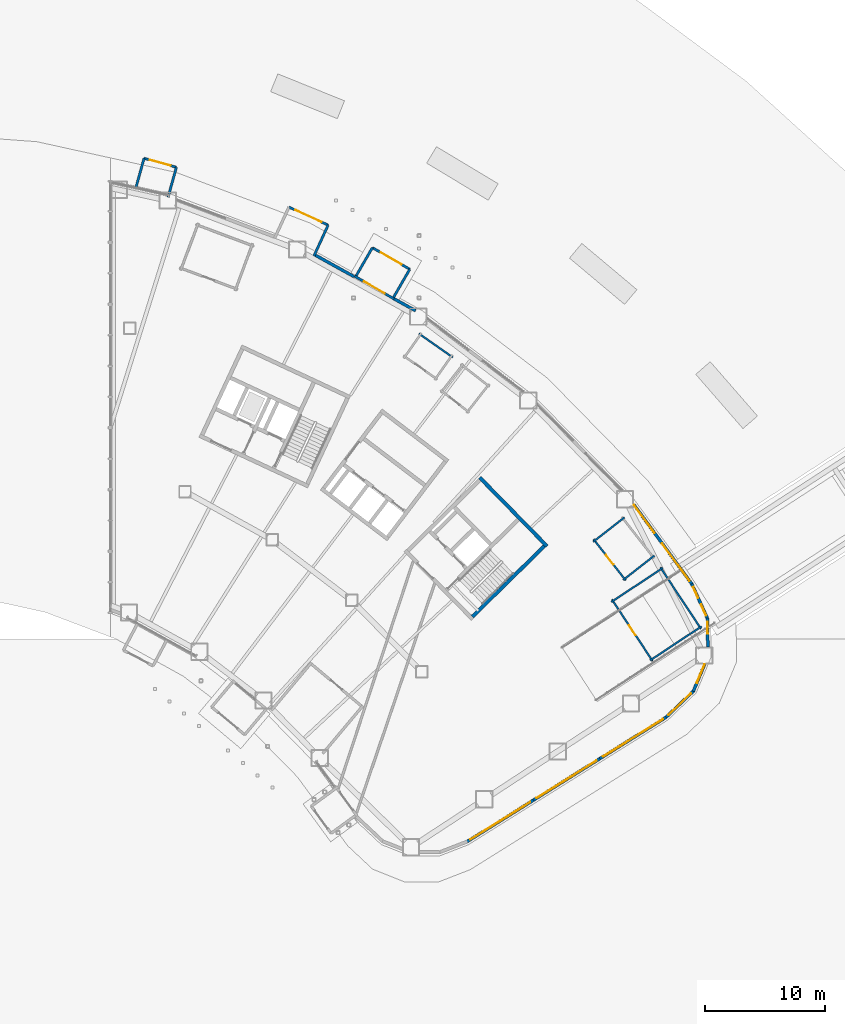
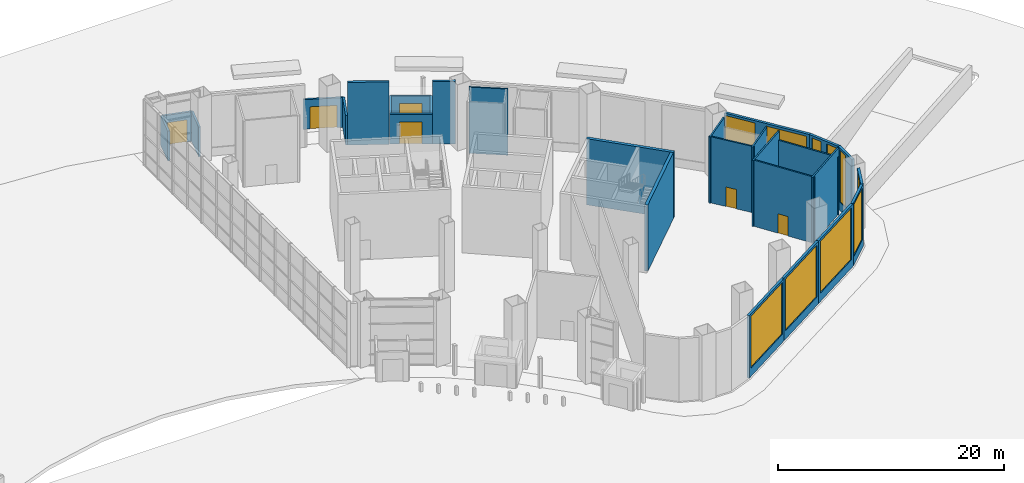
# One storey, part 35 of 45: 29 walls, 10 windows, 6 doors, 16 openings.
"""IFC4 building model written with IfcOpenShell, lengths in metres."""

from ifc_helpers import new_model, si_unit, direction, frame, frame_2d, origin, place, context, subcontext, project, spatial, rectangle, extrude, material, layer, layer_set, type_object, element, fill, save


model = new_model("IFC4")

# Units and contexts
model_context = context("Model", 3, precision=1e-05, world=origin(), true_north=direction((0.0, 1.0)))
body_context = subcontext(model_context, "Body", "Model", "MODEL_VIEW")
ifc_project = project(units=[si_unit("LENGTHUNIT", "METRE"), si_unit("AREAUNIT", "SQUARE_METRE"), si_unit("VOLUMEUNIT", "CUBIC_METRE"), si_unit("PLANEANGLEUNIT", "RADIAN"), si_unit("MASSUNIT", "GRAM", prefix="KILO")], contexts=[model_context])

# Site, building, storey
site_placement = place(None, origin())
site = spatial("IfcSite", under=ifc_project, at=site_placement, CompositionType="ELEMENT")
building_placement = place(site_placement, origin())
building = spatial("IfcBuilding", under=site, at=building_placement, Name="Tuul Gate Civic Tower", CompositionType="ELEMENT")
storey_placement = place(building_placement, origin())
storey = spatial("IfcBuildingStorey", under=building, at=storey_placement, Name="Level 00", CompositionType="ELEMENT", Elevation=0.0)

# Walls
ifc_material_1 = material(Name="Concrete C50/60", Category="concrete")
ifc_layer_1 = layer(ifc_material_1, 0.300048828125)
ifc_layer_set_1 = layer_set([ifc_layer_1], Name="Concrete C50/60")
wall_type_1 = type_object("IfcWallType", Name="Core wall C50/60", PredefinedType="SHEAR", material=ifc_layer_set_1)
wall_1_placement = place(storey_placement, frame((54.43798828125, -12.23779296875, 0.0), z_axis=(0.0, 0.0, 1.0), x_axis=(-0.700021979774, 0.714121297703, 0.0)))
element("IfcWall", 1, at=wall_1_placement, inside=storey, type_object=wall_type_1, Name="Core wall", PredefinedType="SHEAR", context=body_context, shape_type="SweptSolid", body=[
    extrude(rectangle(XDim=8.0, YDim=0.300048828125, at=frame_2d((4.0, 0.0))), origin(), (0.0, 0.0, 1.0), 7.14990234375),
])
wall_2_placement = place(storey_placement, frame((48.227294921875, -18.115966796875, 0.0), z_axis=(0.0, 0.0, 1.0), x_axis=(0.714105315431, 0.700038283577, 0.0)))
element("IfcWall", 2, at=wall_2_placement, inside=storey, type_object=wall_type_1, Name="Core wall", PredefinedType="SHEAR", context=body_context, shape_type="SweptSolid", body=[
    extrude(rectangle(XDim=8.400146484375, YDim=0.300048828125, at=frame_2d((4.2001953125, 0.0))), origin(), (0.0, 0.0, 1.0), 7.14990234375),
])
ifc_material_2 = material(Name="Fire-rated glazed steel S355", Category="steel")
ifc_layer_2 = layer(ifc_material_2, 0.199951171875)
ifc_layer_set_2 = layer_set([ifc_layer_2], Name="Fire-rated glazed steel S355")
wall_type_2 = type_object("IfcWallType", Name="Exit lobby wall", PredefinedType="SOLIDWALL", material=ifc_layer_set_2)
wall_3_placement = place(storey_placement, frame((22.828857421875, 16.893798828125, 0.0), z_axis=(0.0, 0.0, 1.0), x_axis=(0.267937354772, 0.963436336204, 0.0)))
element("IfcWall", 3, at=wall_3_placement, inside=storey, type_object=wall_type_2, Name="Exit lobby wall", PredefinedType="SOLIDWALL", context=body_context, shape_type="SweptSolid", body=[
    extrude(rectangle(XDim=2.57421875, YDim=0.199951171875, at=frame_2d((1.287109375, 0.0))), origin(), (0.0, 0.0, 1.0), 3.199951171875),
])
wall_4_placement = place(storey_placement, frame((20.151123046875, 17.715087890625, 0.0), z_axis=(0.0, 0.0, 1.0), x_axis=(0.267865467382, 0.963456325624, 0.0)))
element("IfcWall", 4, at=wall_4_placement, inside=storey, type_object=wall_type_2, Name="Exit lobby wall", PredefinedType="SOLIDWALL", context=body_context, shape_type="SweptSolid", body=[
    extrude(rectangle(XDim=2.5, YDim=0.199951171875, at=frame_2d((1.25, 0.0))), origin(), (0.0, 0.0, 1.0), 3.199951171875),
])

# Wall, opening, door
wall_5_placement = place(storey_placement, frame((23.5185546875, 19.373779296875, 0.0), z_axis=(0.0, 0.0, 1.0), x_axis=(-0.963460426314, 0.267850717614, 0.0)))
wall_5 = element("IfcWall", 5, at=wall_5_placement, inside=storey, type_object=wall_type_2, Name="Exit lobby wall", PredefinedType="SOLIDWALL", context=body_context, shape_type="SweptSolid", body=[
    extrude(rectangle(XDim=2.800048828125, YDim=0.199951171875, at=frame_2d((1.39990234375, 0.0))), origin(), (0.0, 0.0, 1.0), 3.199951171875),
])
opening_1_placement = place(wall_5_placement, frame((0.5, 0.0, 0.0)))
opening_1 = element("IfcOpeningElement", 6, at=opening_1_placement, cuts=wall_5, Name="Opening XD", PredefinedType="OPENING", context=body_context, shape_type="SweptSolid", body=[
    extrude(rectangle(XDim=1.800048828125, YDim=2.39990234375, at=frame_2d((0.89990234375, 1.199951171875))), frame((0.0, 0.10986328125, 0.0), z_axis=(0.0, -1.0, 0.0), x_axis=(1.0, 0.0, 0.0)), (0.0, 0.0, 1.0), 0.219970703125),
])
ifc_material_3 = material(Name="Glazed aluminium", Category="aluminium")
door_type_1 = type_object("IfcDoorType", Name="Exit door", OperationType="DOUBLE_DOOR_SINGLE_SWING", PredefinedType="DOOR", material=ifc_material_3)
door_1_placement = place(opening_1_placement, frame((1.800048828125, 0.0, 0.0), z_axis=(0.0, 0.0, 1.0), x_axis=(-1.0, 0.0, 0.0)))
door_1 = element("IfcDoor", 7, at=door_1_placement, inside=storey, type_object=door_type_1, Name="Exit door", OperationType="DOUBLE_DOOR_SINGLE_SWING", OverallHeight=2.39990234375, OverallWidth=1.800048828125, PredefinedType="DOOR", context=body_context, shape_type="SweptSolid", body=[
    extrude(rectangle(XDim=1.800048828125, YDim=2.39990234375, at=frame_2d((0.900146484375, 1.199951171875))), frame((0.0, 0.02490234375, 0.0), z_axis=(0.0, -1.0, 0.0), x_axis=(1.0, 0.0, 0.0)), (0.0, 0.0, 1.0), 0.050048828125),
])
fill(opening_1, door_1)

# Wall
wall_6_placement = place(storey_placement, frame((34.99609375, 11.970947265625, 0.0), z_axis=(0.0, 0.0, 1.0), x_axis=(0.416965967992, 0.908922098717, 0.0)))
element("IfcWall", 8, at=wall_6_placement, inside=storey, type_object=wall_type_2, Name="Exit lobby wall", PredefinedType="SOLIDWALL", context=body_context, shape_type="SweptSolid", body=[
    extrude(rectangle(XDim=2.835693359375, YDim=0.199951171875, at=frame_2d((1.41796875, 0.0))), origin(), (0.0, 0.0, 1.0), 3.199951171875),
])

# Wall, opening, door
wall_7_placement = place(storey_placement, frame((36.178466796875, 14.54833984375, 0.0), z_axis=(0.0, 0.0, 1.0), x_axis=(-0.908911717808, 0.416988596046, 0.0)))
wall_7 = element("IfcWall", 9, at=wall_7_placement, inside=storey, type_object=wall_type_2, Name="Exit lobby wall", PredefinedType="SOLIDWALL", context=body_context, shape_type="SweptSolid", body=[
    extrude(rectangle(XDim=3.60009765625, YDim=0.199951171875, at=frame_2d((1.800048828125, 0.0))), origin(), (0.0, 0.0, 1.0), 3.199951171875),
])
opening_2_placement = place(wall_7_placement, frame((0.60009765625, 0.0, 0.0)))
opening_2 = element("IfcOpeningElement", 10, at=opening_2_placement, cuts=wall_7, Name="Opening XD1", PredefinedType="OPENING", context=body_context, shape_type="SweptSolid", body=[
    extrude(rectangle(XDim=2.39990234375, YDim=2.39990234375, at=frame_2d((1.199951171875, 1.199951171875))), frame((0.0, 0.10986328125, 0.0), z_axis=(0.0, -1.0, 0.0), x_axis=(1.0, 0.0, 0.0)), (0.0, 0.0, 1.0), 0.219970703125),
])
door_2_placement = place(opening_2_placement, frame((2.39990234375, 0.0, 0.0), z_axis=(0.0, 0.0, 1.0), x_axis=(-1.0, 0.0, 0.0)))
door_2 = element("IfcDoor", 11, at=door_2_placement, inside=storey, type_object=door_type_1, Name="Exit door", OperationType="DOUBLE_DOOR_SINGLE_SWING", OverallHeight=2.39990234375, OverallWidth=2.39990234375, PredefinedType="DOOR", context=body_context, shape_type="SweptSolid", body=[
    extrude(rectangle(XDim=2.39990234375, YDim=2.39990234375, at=frame_2d((1.199951171875, 1.199951171875))), frame((0.0, 0.02490234375, 0.0), z_axis=(0.0, -1.0, 0.0), x_axis=(1.0, 0.0, 0.0)), (0.0, 0.0, 1.0), 0.050048828125),
])
fill(opening_2, door_2)

# Wall, opening, window
ifc_material_4 = material(Name="Precast concrete C40/50", Category="concrete")
ifc_layer_3 = layer(ifc_material_4, 0.25)
ifc_layer_set_3 = layer_set([ifc_layer_3], Name="Precast concrete C40/50")
wall_type_3 = type_object("IfcWallType", Name="External wall", PredefinedType="STANDARD", material=ifc_layer_set_3)
wall_8_placement = place(storey_placement, frame((64.36962890625, -26.53076171875, 0.0), z_axis=(0.0, 0.0, 1.0), x_axis=(0.722378510216, 0.69149785826, 0.0)))
wall_8 = element("IfcWall", 12, at=wall_8_placement, inside=storey, type_object=wall_type_3, Name="External wall", PredefinedType="STANDARD", context=body_context, shape_type="SweptSolid", body=[
    extrude(rectangle(XDim=3.201904296875, YDim=0.25, at=frame_2d((1.60107421875, 0.0))), origin(), (0.0, 0.0, 1.0), 6.75),
])
opening_3_placement = place(wall_8_placement, frame((0.301025390625, 0.0, 0.89990234375)))
opening_3 = element("IfcOpeningElement", 13, at=opening_3_placement, cuts=wall_8, Name="Opening W1", PredefinedType="OPENING", context=body_context, shape_type="SweptSolid", body=[
    extrude(rectangle(XDim=2.60009765625, YDim=5.60009765625, at=frame_2d((1.300048828125, 2.800048828125))), frame((0.0, 0.135009765625, 0.0), z_axis=(0.0, -1.0, 0.0), x_axis=(1.0, 0.0, 0.0)), (0.0, 0.0, 1.0), 0.27001953125),
])
ifc_material_5 = material(Name="Glass", Category="glass")
window_type_1 = type_object("IfcWindowType", Name="Window W1 2600 x 5600", PartitioningType="SINGLE_PANEL", PredefinedType="WINDOW", material=ifc_material_5)
window_1_placement = place(opening_3_placement, origin())
window_1 = element("IfcWindow", 14, at=window_1_placement, inside=storey, type_object=window_type_1, Name="Window", OverallHeight=5.60009765625, OverallWidth=2.60009765625, PartitioningType="SINGLE_PANEL", PredefinedType="WINDOW", context=body_context, shape_type="SweptSolid", body=[
    extrude(rectangle(XDim=2.60009765625, YDim=5.60009765625, at=frame_2d((1.300048828125, 2.800048828125))), frame((0.0, 0.030029296875, 0.0), z_axis=(0.0, -1.0, 0.0), x_axis=(1.0, 0.0, 0.0)), (0.0, 0.0, 1.0), 0.06005859375),
])
fill(opening_3, window_1)

wall_9_placement = place(storey_placement, frame((66.653564453125, -24.35888671875, 0.0), z_axis=(0.0, 0.0, 1.0), x_axis=(0.38573160677, 0.922611038054, 0.0)))
wall_9 = element("IfcWall", 15, at=wall_9_placement, inside=storey, type_object=wall_type_3, Name="External wall", PredefinedType="STANDARD", context=body_context, shape_type="SweptSolid", body=[
    extrude(rectangle(XDim=2.484130859375, YDim=0.25, at=frame_2d((1.2421875, 0.0))), origin(), (0.0, 0.0, 1.0), 6.75),
])
opening_4_placement = place(wall_9_placement, frame((0.7509765625, 0.0, 0.89990234375)))
opening_4 = element("IfcOpeningElement", 16, at=opening_4_placement, cuts=wall_9, Name="Opening W2", PredefinedType="OPENING", context=body_context, shape_type="SweptSolid", body=[
    extrude(rectangle(XDim=1.699951171875, YDim=5.60009765625, at=frame_2d((0.85009765625, 2.800048828125))), frame((0.0, 0.135009765625, 0.0), z_axis=(0.0, -1.0, 0.0), x_axis=(1.0, 0.0, 0.0)), (0.0, 0.0, 1.0), 0.27001953125),
])
ifc_material_6 = material(Name="Glass", Category="glass")
window_type_2 = type_object("IfcWindowType", Name="Window W2 1700 x 5600", PartitioningType="SINGLE_PANEL", PredefinedType="WINDOW", material=ifc_material_6)
window_2_placement = place(opening_4_placement, origin())
window_2 = element("IfcWindow", 17, at=window_2_placement, inside=storey, type_object=window_type_2, Name="Window", OverallHeight=5.60009765625, OverallWidth=1.699951171875, PartitioningType="SINGLE_PANEL", PredefinedType="WINDOW", context=body_context, shape_type="SweptSolid", body=[
    extrude(rectangle(XDim=1.699951171875, YDim=5.60009765625, at=frame_2d((0.85009765625, 2.800048828125))), frame((0.0, 0.030029296875, 0.0), z_axis=(0.0, -1.0, 0.0), x_axis=(1.0, 0.0, 0.0)), (0.0, 0.0, 1.0), 0.06005859375),
])
fill(opening_4, window_2)

wall_10_placement = place(storey_placement, frame((67.867431640625, -20.6669921875, 0.0), z_axis=(0.0, 0.0, 1.0), x_axis=(-0.014662663038, 0.999892497378, 0.0)))
wall_10 = element("IfcWall", 18, at=wall_10_placement, inside=storey, type_object=wall_type_3, Name="External wall", PredefinedType="STANDARD", context=body_context, shape_type="SweptSolid", body=[
    extrude(rectangle(XDim=2.414306640625, YDim=0.25, at=frame_2d((1.20703125, 0.0))), origin(), (0.0, 0.0, 1.0), 6.75),
])
opening_5_placement = place(wall_10_placement, frame((1.11376953125, 0.0, 0.89990234375)))
opening_5 = element("IfcOpeningElement", 19, at=opening_5_placement, cuts=wall_10, Name="Opening W3", PredefinedType="OPENING", context=body_context, shape_type="SweptSolid", body=[
    extrude(rectangle(XDim=1.0, YDim=5.60009765625, at=frame_2d((0.5, 2.800048828125))), frame((0.0, 0.135009765625, 0.0), z_axis=(0.0, -1.0, 0.0), x_axis=(1.0, 0.0, 0.0)), (0.0, 0.0, 1.0), 0.27001953125),
])
ifc_material_7 = material(Name="Glass", Category="glass")
window_type_3 = type_object("IfcWindowType", Name="Window W3 1000 x 5600", PartitioningType="SINGLE_PANEL", PredefinedType="WINDOW", material=ifc_material_7)
window_3_placement = place(opening_5_placement, origin())
window_3 = element("IfcWindow", 20, at=window_3_placement, inside=storey, type_object=window_type_3, Name="Window", OverallHeight=5.60009765625, OverallWidth=1.0, PartitioningType="SINGLE_PANEL", PredefinedType="WINDOW", context=body_context, shape_type="SweptSolid", body=[
    extrude(rectangle(XDim=1.0, YDim=5.60009765625, at=frame_2d((0.5, 2.800048828125))), frame((0.0, 0.030029296875, 0.0), z_axis=(0.0, -1.0, 0.0), x_axis=(1.0, 0.0, 0.0)), (0.0, 0.0, 1.0), 0.06005859375),
])
fill(opening_5, window_3)

# Wall, openings, windows
wall_11_placement = place(storey_placement, frame((67.843017578125, -18.302490234375, 0.0), z_axis=(0.0, 0.0, 1.0), x_axis=(-0.412481289983, 0.910966072592, 0.0)))
wall_11 = element("IfcWall", 21, at=wall_11_placement, inside=storey, type_object=wall_type_3, Name="External wall", PredefinedType="STANDARD", context=body_context, shape_type="SweptSolid", body=[
    extrude(rectangle(XDim=3.2021484375, YDim=0.25, at=frame_2d((1.60107421875, 0.0))), origin(), (0.0, 0.0, 1.0), 6.75),
])
opening_6_placement = place(wall_11_placement, frame((0.300537109375, 0.0, 0.89990234375)))
opening_6 = element("IfcOpeningElement", 22, at=opening_6_placement, cuts=wall_11, Name="Opening W3", PredefinedType="OPENING", context=body_context, shape_type="SweptSolid", body=[
    extrude(rectangle(XDim=1.0, YDim=5.60009765625, at=frame_2d((0.5, 2.800048828125))), frame((0.0, 0.135009765625, 0.0), z_axis=(0.0, -1.0, 0.0), x_axis=(1.0, 0.0, 0.0)), (0.0, 0.0, 1.0), 0.27001953125),
])
opening_7_placement = place(wall_11_placement, frame((1.901611328125, 0.0, 0.89990234375)))
opening_7 = element("IfcOpeningElement", 23, at=opening_7_placement, cuts=wall_11, Name="Opening W3", PredefinedType="OPENING", context=body_context, shape_type="SweptSolid", body=[
    extrude(rectangle(XDim=1.0, YDim=5.60009765625, at=frame_2d((0.5, 2.800048828125))), frame((0.0, 0.135009765625, 0.0), z_axis=(0.0, -1.0, 0.0), x_axis=(1.0, 0.0, 0.0)), (0.0, 0.0, 1.0), 0.27001953125),
])
window_4_placement = place(opening_6_placement, origin())
window_4 = element("IfcWindow", 24, at=window_4_placement, inside=storey, type_object=window_type_3, Name="Window", OverallHeight=5.60009765625, OverallWidth=1.0, PartitioningType="SINGLE_PANEL", PredefinedType="WINDOW", context=body_context, shape_type="SweptSolid", body=[
    extrude(rectangle(XDim=1.0, YDim=5.60009765625, at=frame_2d((0.5, 2.800048828125))), frame((0.0, 0.030029296875, 0.0), z_axis=(0.0, -1.0, 0.0), x_axis=(1.0, 0.0, 0.0)), (0.0, 0.0, 1.0), 0.06005859375),
])
fill(opening_6, window_4)
window_5_placement = place(opening_7_placement, origin())
window_5 = element("IfcWindow", 25, at=window_5_placement, inside=storey, type_object=window_type_3, Name="Window", OverallHeight=5.60009765625, OverallWidth=1.0, PartitioningType="SINGLE_PANEL", PredefinedType="WINDOW", context=body_context, shape_type="SweptSolid", body=[
    extrude(rectangle(XDim=1.0, YDim=5.60009765625, at=frame_2d((0.5, 2.800048828125))), frame((0.0, 0.030029296875, 0.0), z_axis=(0.0, -1.0, 0.0), x_axis=(1.0, 0.0, 0.0)), (0.0, 0.0, 1.0), 0.06005859375),
])
fill(opening_7, window_5)

wall_12_placement = place(storey_placement, frame((66.53515625, -15.40771484375, 0.0), z_axis=(0.0, 0.0, 1.0), x_axis=(-0.589883240256, 0.807488552777, 0.0)))
wall_12 = element("IfcWall", 26, at=wall_12_placement, inside=storey, type_object=wall_type_3, Name="External wall", PredefinedType="STANDARD", context=body_context, shape_type="SweptSolid", body=[
    extrude(rectangle(XDim=8.26318359375, YDim=0.25, at=frame_2d((4.131591796875, 0.0))), origin(), (0.0, 0.0, 1.0), 6.75),
])
opening_8_placement = place(wall_12_placement, frame((0.30908203125, 0.0, 1.1298828125)))
opening_8 = element("IfcOpeningElement", 27, at=opening_8_placement, cuts=wall_12, Name="Opening W80", PredefinedType="OPENING", context=body_context, shape_type="SweptSolid", body=[
    extrude(rectangle(XDim=3.89990234375, YDim=5.35009765625, at=frame_2d((1.949951171875, 2.675048828125))), frame((0.0, 0.135009765625, 0.0), z_axis=(0.0, -1.0, 0.0), x_axis=(1.0, 0.0, 0.0)), (0.0, 0.0, 1.0), 0.27001953125),
])
opening_9_placement = place(wall_12_placement, frame((5.277099609375, 0.0, 0.89990234375)))
opening_9 = element("IfcOpeningElement", 28, at=opening_9_placement, cuts=wall_12, Name="Opening W81", PredefinedType="OPENING", context=body_context, shape_type="SweptSolid", body=[
    extrude(rectangle(XDim=2.89990234375, YDim=5.60009765625, at=frame_2d((1.449951171875, 2.800048828125))), frame((0.0, 0.135009765625, 0.0), z_axis=(0.0, -1.0, 0.0), x_axis=(1.0, 0.0, 0.0)), (0.0, 0.0, 1.0), 0.27001953125),
])
ifc_material_8 = material(Name="Glass", Category="glass")
window_type_4 = type_object("IfcWindowType", Name="Window W80 3900 x 5350", PartitioningType="SINGLE_PANEL", PredefinedType="WINDOW", material=ifc_material_8)
window_6_placement = place(opening_8_placement, origin())
window_6 = element("IfcWindow", 29, at=window_6_placement, inside=storey, type_object=window_type_4, Name="Window", OverallHeight=5.35009765625, OverallWidth=3.89990234375, PartitioningType="SINGLE_PANEL", PredefinedType="WINDOW", context=body_context, shape_type="SweptSolid", body=[
    extrude(rectangle(XDim=3.89990234375, YDim=5.35009765625, at=frame_2d((1.949951171875, 2.675048828125))), frame((0.0, 0.030029296875, 0.0), z_axis=(0.0, -1.0, 0.0), x_axis=(1.0, 0.0, 0.0)), (0.0, 0.0, 1.0), 0.06005859375),
])
fill(opening_8, window_6)
ifc_material_9 = material(Name="Glass", Category="glass")
window_type_5 = type_object("IfcWindowType", Name="Window W81 2900 x 5600", PartitioningType="SINGLE_PANEL", PredefinedType="WINDOW", material=ifc_material_9)
window_7_placement = place(opening_9_placement, origin())
window_7 = element("IfcWindow", 30, at=window_7_placement, inside=storey, type_object=window_type_5, Name="Window", OverallHeight=5.60009765625, OverallWidth=2.89990234375, PartitioningType="SINGLE_PANEL", PredefinedType="WINDOW", context=body_context, shape_type="SweptSolid", body=[
    extrude(rectangle(XDim=2.89990234375, YDim=5.60009765625, at=frame_2d((1.449951171875, 2.800048828125))), frame((0.0, 0.030029296875, 0.0), z_axis=(0.0, -1.0, 0.0), x_axis=(1.0, 0.0, 0.0)), (0.0, 0.0, 1.0), 0.06005859375),
])
fill(opening_9, window_7)

# Walls
wall_13_placement = place(storey_placement, frame((43.48388671875, 7.39990234375, 0.0), z_axis=(0.0, 0.0, 1.0), x_axis=(-0.874649648229, 0.484755601156, 0.0)))
element("IfcWall", 31, at=wall_13_placement, inside=storey, type_object=wall_type_3, Name="External wall", PredefinedType="STANDARD", context=body_context, shape_type="SweptSolid", body=[
    extrude(rectangle(XDim=2.056396484375, YDim=0.25, at=frame_2d((1.0283203125, 0.0))), origin(), (0.0, 0.0, 1.0), 6.75),
])
wall_14_placement = place(storey_placement, frame((38.343994140625, 10.24853515625, 0.0), z_axis=(0.0, 0.0, 1.0), x_axis=(-0.874656616963, 0.484743027184, 0.0)))
element("IfcWall", 32, at=wall_14_placement, inside=storey, type_object=wall_type_3, Name="External wall", PredefinedType="STANDARD", context=body_context, shape_type="SweptSolid", body=[
    extrude(rectangle(XDim=3.66357421875, YDim=0.25, at=frame_2d((1.831787109375, 0.0))), origin(), (0.0, 0.0, 1.0), 6.75),
])

# Wall, opening, window
wall_15_placement = place(storey_placement, frame((47.77783203125, -36.89599609375, 0.0), z_axis=(0.0, 0.0, 1.0), x_axis=(0.848025609636, 0.529955248489, 0.0)))
wall_15 = element("IfcWall", 33, at=wall_15_placement, inside=storey, type_object=wall_type_3, Name="External wall", PredefinedType="STANDARD", context=body_context, shape_type="SweptSolid", body=[
    extrude(rectangle(XDim=6.52978515625, YDim=0.25, at=frame_2d((3.264892578125, 0.0))), origin(), (0.0, 0.0, 1.0), 6.75),
])
opening_10_placement = place(wall_15_placement, frame((0.314697265625, 0.0, 0.89990234375)))
opening_10 = element("IfcOpeningElement", 34, at=opening_10_placement, cuts=wall_15, Name="Opening W7", PredefinedType="OPENING", context=body_context, shape_type="SweptSolid", body=[
    extrude(rectangle(XDim=5.89990234375, YDim=5.60009765625, at=frame_2d((2.949951171875, 2.800048828125))), frame((0.0, 0.135009765625, 0.0), z_axis=(0.0, -1.0, 0.0), x_axis=(1.0, 0.0, 0.0)), (0.0, 0.0, 1.0), 0.27001953125),
])
ifc_material_10 = material(Name="Glass", Category="glass")
window_type_6 = type_object("IfcWindowType", Name="Window W7 5900 x 5600", PartitioningType="SINGLE_PANEL", PredefinedType="WINDOW", material=ifc_material_10)
window_8_placement = place(opening_10_placement, origin())
window_8 = element("IfcWindow", 35, at=window_8_placement, inside=storey, type_object=window_type_6, Name="Window", OverallHeight=5.60009765625, OverallWidth=5.89990234375, PartitioningType="SINGLE_PANEL", PredefinedType="WINDOW", context=body_context, shape_type="SweptSolid", body=[
    extrude(rectangle(XDim=5.89990234375, YDim=5.60009765625, at=frame_2d((2.949951171875, 2.800048828125))), frame((0.0, 0.030029296875, 0.0), z_axis=(0.0, -1.0, 0.0), x_axis=(1.0, 0.0, 0.0)), (0.0, 0.0, 1.0), 0.06005859375),
])
fill(opening_10, window_8)

wall_16_placement = place(storey_placement, frame((53.315185546875, -33.435546875, 0.0), z_axis=(0.0, 0.0, 1.0), x_axis=(0.848042412856, 0.529928359306, 0.0)))
wall_16 = element("IfcWall", 36, at=wall_16_placement, inside=storey, type_object=wall_type_3, Name="External wall", PredefinedType="STANDARD", context=body_context, shape_type="SweptSolid", body=[
    extrude(rectangle(XDim=6.529541015625, YDim=0.25, at=frame_2d((3.2646484375, 0.0))), origin(), (0.0, 0.0, 1.0), 6.75),
])
opening_11_placement = place(wall_16_placement, frame((0.314697265625, 0.0, 0.89990234375)))
opening_11 = element("IfcOpeningElement", 37, at=opening_11_placement, cuts=wall_16, Name="Opening W7", PredefinedType="OPENING", context=body_context, shape_type="SweptSolid", body=[
    extrude(rectangle(XDim=5.89990234375, YDim=5.60009765625, at=frame_2d((2.949951171875, 2.800048828125))), frame((0.0, 0.135009765625, 0.0), z_axis=(0.0, -1.0, 0.0), x_axis=(1.0, 0.0, 0.0)), (0.0, 0.0, 1.0), 0.27001953125),
])
window_9_placement = place(opening_11_placement, origin())
window_9 = element("IfcWindow", 38, at=window_9_placement, inside=storey, type_object=window_type_6, Name="Window", OverallHeight=5.60009765625, OverallWidth=5.89990234375, PartitioningType="SINGLE_PANEL", PredefinedType="WINDOW", context=body_context, shape_type="SweptSolid", body=[
    extrude(rectangle(XDim=5.89990234375, YDim=5.60009765625, at=frame_2d((2.949951171875, 2.800048828125))), frame((0.0, 0.030029296875, 0.0), z_axis=(0.0, -1.0, 0.0), x_axis=(1.0, 0.0, 0.0)), (0.0, 0.0, 1.0), 0.06005859375),
])
fill(opening_11, window_9)

wall_17_placement = place(storey_placement, frame((58.8525390625, -29.975341796875, 0.0), z_axis=(0.0, 0.0, 1.0), x_axis=(0.84801510827, 0.529972052232, 0.0)))
wall_17 = element("IfcWall", 39, at=wall_17_placement, inside=storey, type_object=wall_type_3, Name="External wall", PredefinedType="STANDARD", context=body_context, shape_type="SweptSolid", body=[
    extrude(rectangle(XDim=6.529541015625, YDim=0.25, at=frame_2d((3.2646484375, 0.0))), origin(), (0.0, 0.0, 1.0), 6.75),
])
opening_12_placement = place(wall_17_placement, frame((0.314697265625, 0.0, 0.89990234375)))
opening_12 = element("IfcOpeningElement", 40, at=opening_12_placement, cuts=wall_17, Name="Opening W7", PredefinedType="OPENING", context=body_context, shape_type="SweptSolid", body=[
    extrude(rectangle(XDim=5.89990234375, YDim=5.60009765625, at=frame_2d((2.949951171875, 2.800048828125))), frame((0.0, 0.135009765625, 0.0), z_axis=(0.0, -1.0, 0.0), x_axis=(1.0, 0.0, 0.0)), (0.0, 0.0, 1.0), 0.27001953125),
])
window_10_placement = place(opening_12_placement, origin())
window_10 = element("IfcWindow", 41, at=window_10_placement, inside=storey, type_object=window_type_6, Name="Window", OverallHeight=5.60009765625, OverallWidth=5.89990234375, PartitioningType="SINGLE_PANEL", PredefinedType="WINDOW", context=body_context, shape_type="SweptSolid", body=[
    extrude(rectangle(XDim=5.89990234375, YDim=5.60009765625, at=frame_2d((2.949951171875, 2.800048828125))), frame((0.0, 0.030029296875, 0.0), z_axis=(0.0, -1.0, 0.0), x_axis=(1.0, 0.0, 0.0)), (0.0, 0.0, 1.0), 0.06005859375),
])
fill(opening_12, window_10)

# Wall, opening, door
ifc_material_11 = material(Name="Concrete block", Category="concrete")
ifc_layer_4 = layer(ifc_material_11, 0.14990234375)
ifc_layer_set_4 = layer_set([ifc_layer_4], Name="Concrete block")
wall_type_4 = type_object("IfcWallType", Name="Ground floor room wall", PredefinedType="PARTITIONING", material=ifc_layer_set_4)
wall_18_placement = place(storey_placement, frame((63.254150390625, -21.820556640625, 0.0), z_axis=(0.0, 0.0, 1.0), x_axis=(-0.55192130307, 0.833896201704, 0.0)))
wall_18 = element("IfcWall", 42, at=wall_18_placement, inside=storey, type_object=wall_type_4, Name="Room wall", PredefinedType="PARTITIONING", context=body_context, shape_type="SweptSolid", body=[
    extrude(rectangle(XDim=6.14990234375, YDim=0.14990234375, at=frame_2d((3.074951171875, 0.0))), origin(), (0.0, 0.0, 1.0), 7.14990234375),
])
opening_13_placement = place(wall_18_placement, frame((2.574951171875, 0.0, 0.0)))
opening_13 = element("IfcOpeningElement", 43, at=opening_13_placement, cuts=wall_18, Name="Opening GD", PredefinedType="OPENING", context=body_context, shape_type="SweptSolid", body=[
    extrude(rectangle(XDim=1.0, YDim=2.10009765625, at=frame_2d((0.5, 1.050048828125))), frame((0.0, 0.0849609375, 0.0), z_axis=(0.0, -1.0, 0.0), x_axis=(1.0, 0.0, 0.0)), (0.0, 0.0, 1.0), 0.169921875),
])
ifc_material_12 = material(Name="Timber", Category="wood")
door_type_2 = type_object("IfcDoorType", Name="Ground floor room door", OperationType="NOTDEFINED", PredefinedType="DOOR", material=ifc_material_12)
door_3_placement = place(opening_13_placement, origin())
door_3 = element("IfcDoor", 44, at=door_3_placement, inside=storey, type_object=door_type_2, Name="Staff entrance lobby door", OperationType="SINGLE_SWING_RIGHT", OverallHeight=2.10009765625, OverallWidth=1.0, PredefinedType="DOOR", context=body_context, shape_type="SweptSolid", body=[
    extrude(rectangle(XDim=1.0, YDim=2.10009765625, at=frame_2d((0.5, 1.050048828125))), frame((0.0, 0.02490234375, 0.0), z_axis=(0.0, -1.0, 0.0), x_axis=(1.0, 0.0, 0.0)), (0.0, 0.0, 1.0), 0.050048828125),
])
fill(opening_13, door_3)

# Walls
wall_19_placement = place(storey_placement, frame((59.8173828125, -16.89990234375, 0.0), z_axis=(0.0, 0.0, 1.0), x_axis=(0.833912634066, 0.551896474663, 0.0)))
element("IfcWall", 45, at=wall_19_placement, inside=storey, type_object=wall_type_4, Name="Room wall", PredefinedType="PARTITIONING", context=body_context, shape_type="SweptSolid", body=[
    extrude(rectangle(XDim=5.150146484375, YDim=0.14990234375, at=frame_2d((2.5751953125, 0.0))), origin(), (0.0, 0.0, 1.0), 7.14990234375),
])
wall_20_placement = place(storey_placement, frame((67.3408203125, -18.935791015625, 0.0), z_axis=(0.0, 0.0, 1.0), x_axis=(-0.833876374849, -0.551951258236, 0.0)))
element("IfcWall", 46, at=wall_20_placement, inside=storey, type_object=wall_type_4, Name="Room wall", PredefinedType="PARTITIONING", context=body_context, shape_type="SweptSolid", body=[
    extrude(rectangle(XDim=5.14990234375, YDim=0.14990234375, at=frame_2d((2.574951171875, 0.0))), origin(), (0.0, 0.0, 1.0), 7.14990234375),
])

# Wall, opening, door
wall_21_placement = place(storey_placement, frame((61.00927734375, -15.094482421875, 0.0), z_axis=(0.0, 0.0, 1.0), x_axis=(-0.615660378195, 0.788011610778, 0.0)))
wall_21 = element("IfcWall", 47, at=wall_21_placement, inside=storey, type_object=wall_type_4, Name="Room wall", PredefinedType="PARTITIONING", context=body_context, shape_type="SweptSolid", body=[
    extrude(rectangle(XDim=4.35009765625, YDim=0.14990234375, at=frame_2d((2.175048828125, 0.0))), origin(), (0.0, 0.0, 1.0), 7.14990234375),
])
opening_14_placement = place(wall_21_placement, frame((1.675048828125, 0.0, 0.0)))
opening_14 = element("IfcOpeningElement", 48, at=opening_14_placement, cuts=wall_21, Name="Opening GD", PredefinedType="OPENING", context=body_context, shape_type="SweptSolid", body=[
    extrude(rectangle(XDim=1.0, YDim=2.10009765625, at=frame_2d((0.5, 1.050048828125))), frame((0.0, 0.0849609375, 0.0), z_axis=(0.0, -1.0, 0.0), x_axis=(1.0, 0.0, 0.0)), (0.0, 0.0, 1.0), 0.169921875),
])
door_4_placement = place(opening_14_placement, frame((1.0, 0.0, 0.0), z_axis=(0.0, 0.0, 1.0), x_axis=(-1.0, 0.0, 0.0)))
door_4 = element("IfcDoor", 49, at=door_4_placement, inside=storey, type_object=door_type_2, Name="Public WC east door", OperationType="SINGLE_SWING_RIGHT", OverallHeight=2.10009765625, OverallWidth=1.0, PredefinedType="DOOR", context=body_context, shape_type="SweptSolid", body=[
    extrude(rectangle(XDim=1.0, YDim=2.10009765625, at=frame_2d((0.5, 1.050048828125))), frame((0.0, 0.02490234375, 0.0), z_axis=(0.0, -1.0, 0.0), x_axis=(1.0, 0.0, 0.0)), (0.0, 0.0, 1.0), 0.050048828125),
])
fill(opening_14, door_4)

# Walls
for number, where, z_axis, x_axis, name in (
    (50, (58.305419921875, -11.877197265625, 0.0), (0.0, 0.0, 1.0), (0.787991845274, 0.615685676122, 0.0), "Room wall"),
    (51, (63.399169921875, -13.036865234375, 0.0), (0.0, 0.0, 1.0), (-0.788019887434, -0.615649784381, 0.0), "Room wall"),
):
    element("IfcWall", number, at=place(storey_placement, frame(where, z_axis=z_axis, x_axis=x_axis)), inside=storey, type_object=wall_type_4, Name=name, PredefinedType="PARTITIONING", context=body_context, shape_type="SweptSolid", body=[
        extrude(rectangle(XDim=3.300048828125, YDim=0.14990234375, at=frame_2d((1.64990234375, 0.0))), origin(), (0.0, 0.0, 1.0), 7.14990234375),
    ])
wall_22_placement = place(storey_placement, frame((43.7529296875, 5.492919921875, 0.0), z_axis=(0.0, 0.0, 1.0), x_axis=(0.819148794203, -0.573581077928, 0.0)))
element("IfcWall", 52, at=wall_22_placement, inside=storey, type_object=wall_type_4, Name="Room wall", PredefinedType="PARTITIONING", context=body_context, shape_type="SweptSolid", body=[
    extrude(rectangle(XDim=3.449951171875, YDim=0.14990234375, at=frame_2d((1.72509765625, 0.0))), origin(), (0.0, 0.0, 1.0), 7.14990234375),
])
ifc_material_13 = material(Name="Concrete block", Category="concrete")
ifc_layer_5 = layer(ifc_material_13, 0.14990234375)
ifc_layer_set_5 = layer_set([ifc_layer_5], Name="Concrete block")
wall_type_5 = type_object("IfcWallType", Name="Ground floor room wall 6250 HIGH", PredefinedType="PARTITIONING", material=ifc_layer_set_5)
wall_23_placement = place(storey_placement, frame((63.904052734375, -14.01513671875, 0.0), z_axis=(0.0, 0.0, 1.0), x_axis=(0.551948907473, -0.833877930838, 0.0)))
element("IfcWall", 53, at=wall_23_placement, inside=storey, type_object=wall_type_5, Name="Room wall", PredefinedType="PARTITIONING", context=body_context, shape_type="SweptSolid", body=[
    extrude(rectangle(XDim=6.150146484375, YDim=0.14990234375, at=frame_2d((3.0751953125, 0.0))), origin(), (0.0, 0.0, 1.0), 6.25),
])
ifc_material_14 = material(Name="Glazed aluminium", Category="aluminium")
ifc_layer_6 = layer(ifc_material_14, 0.199951171875)
ifc_layer_set_6 = layer_set([ifc_layer_6], Name="Glazed aluminium")
wall_type_6 = type_object("IfcWallType", Name="Vestibule wall", PredefinedType="SOLIDWALL", material=ifc_layer_set_6)
for number, where, z_axis, x_axis, name in (
    (54, (41.642578125, 8.527099609375, 0.0), (0.0, 0.0, 1.0), (0.50000943426, 0.866019956843, 0.0), "Vestibule wall"),
    (55, (38.52490234375, 10.3271484375, 0.0), (0.0, 0.0, 1.0), (0.50000943426, 0.866019956843, 0.0), "Vestibule wall"),
):
    element("IfcWall", number, at=place(storey_placement, frame(where, z_axis=z_axis, x_axis=x_axis)), inside=storey, type_object=wall_type_6, Name=name, PredefinedType="SOLIDWALL", context=body_context, shape_type="SweptSolid", body=[
        extrude(rectangle(XDim=2.7001953125, YDim=0.199951171875, at=frame_2d((1.35009765625, 0.0))), origin(), (0.0, 0.0, 1.0), 3.199951171875),
    ])

# Wall, opening, door
wall_24_placement = place(storey_placement, frame((42.99267578125, 10.865478515625, 0.0), z_axis=(0.0, 0.0, 1.0), x_axis=(-0.866018442252, 0.500012057535, 0.0)))
wall_24 = element("IfcWall", 56, at=wall_24_placement, inside=storey, type_object=wall_type_6, Name="Vestibule wall", PredefinedType="SOLIDWALL", context=body_context, shape_type="SweptSolid", body=[
    extrude(rectangle(XDim=3.60009765625, YDim=0.199951171875, at=frame_2d((1.800048828125, 0.0))), origin(), (0.0, 0.0, 1.0), 3.199951171875),
])
opening_15_placement = place(wall_24_placement, frame((0.800048828125, 0.0, 0.0)))
opening_15 = element("IfcOpeningElement", 57, at=opening_15_placement, cuts=wall_24, Name="Opening ED", PredefinedType="OPENING", context=body_context, shape_type="SweptSolid", body=[
    extrude(rectangle(XDim=2.0, YDim=2.39990234375, at=frame_2d((1.0, 1.199951171875))), frame((0.0, 0.10986328125, 0.0), z_axis=(0.0, -1.0, 0.0), x_axis=(1.0, 0.0, 0.0)), (0.0, 0.0, 1.0), 0.219970703125),
])
ifc_material_15 = material(Name="Glazed aluminium", Category="aluminium")
door_type_3 = type_object("IfcDoorType", Name="Entrance door", OperationType="DOUBLE_DOOR_SINGLE_SWING", PredefinedType="DOOR", material=ifc_material_15)
door_5_placement = place(opening_15_placement, frame((2.0, 0.0, 0.0), z_axis=(0.0, 0.0, 1.0), x_axis=(-1.0, 0.0, 0.0)))
door_5 = element("IfcDoor", 58, at=door_5_placement, inside=storey, type_object=door_type_3, Name="Entrance door", OperationType="DOUBLE_DOOR_SINGLE_SWING", OverallHeight=2.39990234375, OverallWidth=2.0, PredefinedType="DOOR", context=body_context, shape_type="SweptSolid", body=[
    extrude(rectangle(XDim=2.0, YDim=2.39990234375, at=frame_2d((1.0, 1.199951171875))), frame((0.0, 0.02490234375, 0.0), z_axis=(0.0, -1.0, 0.0), x_axis=(1.0, 0.0, 0.0)), (0.0, 0.0, 1.0), 0.050048828125),
])
fill(opening_15, door_5)

wall_25_placement = place(storey_placement, frame((41.67919921875, 8.390625, 0.0), z_axis=(0.0, 0.0, 1.0), x_axis=(-0.866028304915, 0.499994975061, 0.0)))
wall_25 = element("IfcWall", 59, at=wall_25_placement, inside=storey, type_object=wall_type_6, Name="Vestibule wall", PredefinedType="SOLIDWALL", context=body_context, shape_type="SweptSolid", body=[
    extrude(rectangle(XDim=3.7998046875, YDim=0.199951171875, at=frame_2d((1.89990234375, 0.0))), origin(), (0.0, 0.0, 1.0), 3.199951171875),
])
opening_16_placement = place(wall_25_placement, frame((0.89990234375, 0.0, 0.0)))
opening_16 = element("IfcOpeningElement", 60, at=opening_16_placement, cuts=wall_25, Name="Opening ED", PredefinedType="OPENING", context=body_context, shape_type="SweptSolid", body=[
    extrude(rectangle(XDim=2.0, YDim=2.39990234375, at=frame_2d((1.0, 1.199951171875))), frame((0.0, 0.10986328125, 0.0), z_axis=(0.0, -1.0, 0.0), x_axis=(1.0, 0.0, 0.0)), (0.0, 0.0, 1.0), 0.219970703125),
])
door_6_placement = place(opening_16_placement, frame((2.0, 0.0, 0.0), z_axis=(0.0, 0.0, 1.0), x_axis=(-1.0, 0.0, 0.0)))
door_6 = element("IfcDoor", 61, at=door_6_placement, inside=storey, type_object=door_type_3, Name="Entrance inner door", OperationType="DOUBLE_DOOR_SINGLE_SWING", OverallHeight=2.39990234375, OverallWidth=2.0, PredefinedType="DOOR", context=body_context, shape_type="SweptSolid", body=[
    extrude(rectangle(XDim=2.0, YDim=2.39990234375, at=frame_2d((1.0, 1.199951171875))), frame((0.0, 0.02490234375, 0.0), z_axis=(0.0, -1.0, 0.0), x_axis=(1.0, 0.0, 0.0)), (0.0, 0.0, 1.0), 0.050048828125),
])
fill(opening_16, door_6)

save(model, "model.ifc")
